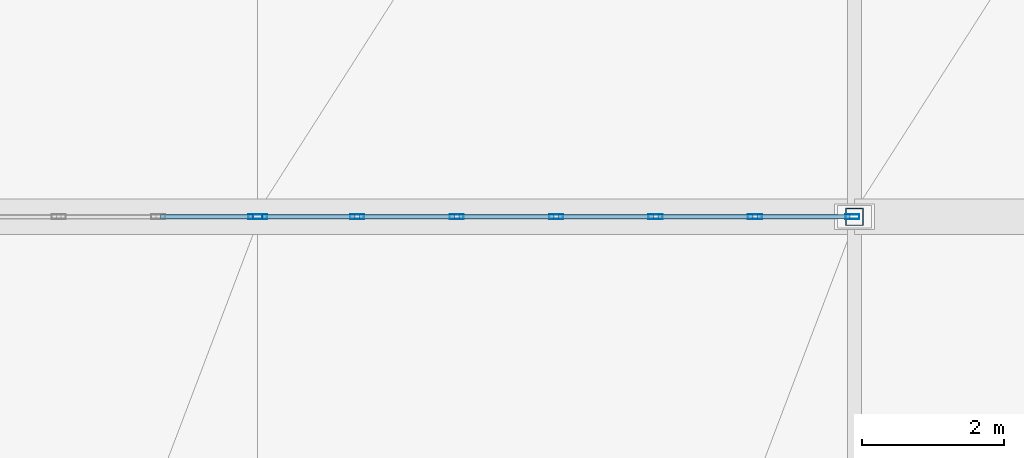
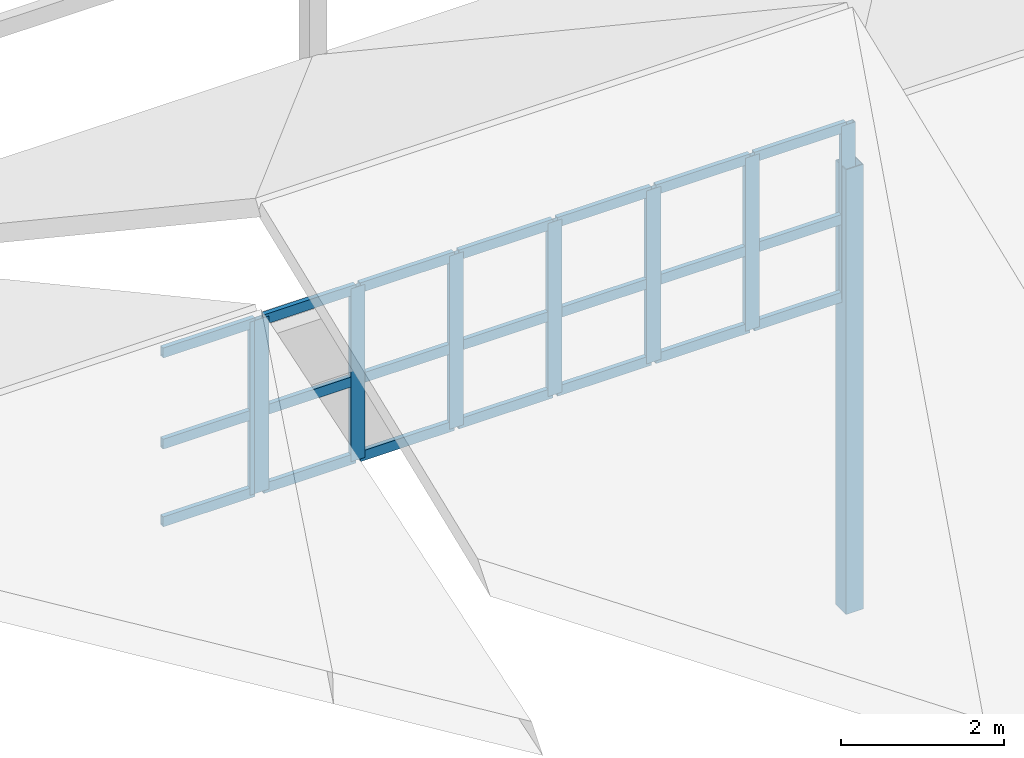
# One storey, part 7 of 76: 30 members, 2 elements without a shape of their own.
"""IFC4 building model written with IfcOpenShell, lengths in metres."""

from ifc_helpers import new_model, si_unit, direction, frame, origin, origin_2d, place, context, subcontext, project, spatial, hollow_rectangle, extrude, material, layer, layer_set, material_profile, profile_set, type_object, element, aggregate, save


model = new_model("IFC4")

# Units and contexts
model_context = context("Model", 3, precision=1e-05, world=origin(), true_north=direction((0.0, 1.0)))
body_context = subcontext(model_context, "Body", "Model", "MODEL_VIEW")
ifc_project = project(units=[si_unit("LENGTHUNIT", "METRE"), si_unit("AREAUNIT", "SQUARE_METRE"), si_unit("VOLUMEUNIT", "CUBIC_METRE"), si_unit("PLANEANGLEUNIT", "RADIAN"), si_unit("MASSUNIT", "GRAM", prefix="KILO")], contexts=[model_context])

# Site, building, storey
site_placement = place(None, origin())
site = spatial("IfcSite", under=ifc_project, at=site_placement, CompositionType="ELEMENT")
building_placement = place(site_placement, origin())
building = spatial("IfcBuilding", under=site, at=building_placement, Name="Krzemoval Escarpment Law Courts", CompositionType="ELEMENT")
storey_placement = place(building_placement, frame((0.0, 0.0, 20.39990234375)))
storey = spatial("IfcBuildingStorey", under=building, at=storey_placement, Name="L04", CompositionType="ELEMENT", Elevation=20.39990234375)

# Curtain wall, member
ifc_material_1 = material(Name="Aluminium 6063-T6", Category="aluminium")
ifc_layer = layer(ifc_material_1, 0.199951171875)
ifc_layer_set = layer_set([ifc_layer], Name="Aluminium 6063-T6")
curtain_wall_type = type_object("IfcCurtainWallType", Name="CW-CLER-2800", PredefinedType="USERDEFINED", material=ifc_layer_set)
curtain_wall_1_placement = place(storey_placement, origin())
curtain_wall_1 = element("IfcCurtainWall", 1, at=curtain_wall_1_placement, inside=storey, type_object=curtain_wall_type, Name="Clerestory Curtain Wall CW-CLER-V1-01", ObjectType="UNITISED_CURTAIN_WALL", PredefinedType="USERDEFINED")
ifc_material_2 = material(Name="Aluminium 6063-T6", Category="aluminium")
ifc_material_profile_1 = material_profile(ifc_material_2, hollow_rectangle(XDim=0.06494140625, YDim=0.199951171875, WallThickness=0.00439453125, at=origin_2d()), Name="ALU M65x200")
ifc_profile_set_1 = profile_set([ifc_material_profile_1], Name="Aluminium 6063-T6")
member_type_1 = type_object("IfcMemberType", Name="CWM-65x200", PredefinedType="MULLION", material=ifc_profile_set_1)
member_1_placement = place(storey_placement, frame((16.767578125, 22.199951171875, 4.400146484375), z_axis=(0.0, 0.0, 1.0), x_axis=(0.0, 1.0, 0.0)))
member_1 = element("IfcMember", 2, at=member_1_placement, type_object=member_type_1, Name="CW-CLER-V1-01 mullion 7", PredefinedType="MULLION", context=body_context, shape_type="SweptSolid", body=[
    extrude(hollow_rectangle(XDim=0.06494140625, YDim=0.199951171875, WallThickness=0.00439453125, at=origin_2d()), origin(), (0.0, 0.0, 1.0), 2.599853515625),
])

# Curtain wall, members
curtain_wall_2_placement = place(storey_placement, origin())
curtain_wall_2 = element("IfcCurtainWall", 3, at=curtain_wall_2_placement, inside=storey, type_object=curtain_wall_type, Name="Clerestory Curtain Wall CW-CLER-V1-02", ObjectType="UNITISED_CURTAIN_WALL", PredefinedType="USERDEFINED")
member_2_placement = place(storey_placement, frame((16.83251953125, 22.199951171875, 4.400146484375), z_axis=(0.0, 0.0, 1.0), x_axis=(0.0, 1.0, 0.0)))
member_2 = element("IfcMember", 4, at=member_2_placement, type_object=member_type_1, Name="CW-CLER-V1-02 mullion 1", PredefinedType="MULLION", context=body_context, shape_type="SweptSolid", body=[
    extrude(hollow_rectangle(XDim=0.06494140625, YDim=0.199951171875, WallThickness=0.00439453125, at=origin_2d()), origin(), (0.0, 0.0, 1.0), 2.599853515625),
])
member_3_placement = place(storey_placement, frame((18.199951171875, 22.199951171875, 4.400146484375), z_axis=(0.0, 0.0, 1.0), x_axis=(0.0, 1.0, 0.0)))
member_3 = element("IfcMember", 5, at=member_3_placement, type_object=member_type_1, Name="CW-CLER-V1-02 mullion 2", PredefinedType="MULLION", context=body_context, shape_type="SweptSolid", body=[
    extrude(hollow_rectangle(XDim=0.06494140625, YDim=0.199951171875, WallThickness=0.00439453125, at=origin_2d()), origin(), (0.0, 0.0, 1.0), 2.599853515625),
])
member_4_placement = place(storey_placement, frame((19.60009765625, 22.199951171875, 4.400146484375), z_axis=(0.0, 0.0, 1.0), x_axis=(0.0, 1.0, 0.0)))
member_4 = element("IfcMember", 6, at=member_4_placement, type_object=member_type_1, Name="CW-CLER-V1-02 mullion 3", PredefinedType="MULLION", context=body_context, shape_type="SweptSolid", body=[
    extrude(hollow_rectangle(XDim=0.06494140625, YDim=0.199951171875, WallThickness=0.00439453125, at=origin_2d()), origin(), (0.0, 0.0, 1.0), 2.599853515625),
])
member_5_placement = place(storey_placement, frame((21.0, 22.199951171875, 4.400146484375), z_axis=(0.0, 0.0, 1.0), x_axis=(0.0, 1.0, 0.0)))
member_5 = element("IfcMember", 7, at=member_5_placement, type_object=member_type_1, Name="CW-CLER-V1-02 mullion 4", PredefinedType="MULLION", context=body_context, shape_type="SweptSolid", body=[
    extrude(hollow_rectangle(XDim=0.06494140625, YDim=0.199951171875, WallThickness=0.00439453125, at=origin_2d()), origin(), (0.0, 0.0, 1.0), 2.599853515625),
])
member_6_placement = place(storey_placement, frame((22.39990234375, 22.199951171875, 4.400146484375), z_axis=(0.0, 0.0, 1.0), x_axis=(0.0, 1.0, 0.0)))
member_6 = element("IfcMember", 8, at=member_6_placement, type_object=member_type_1, Name="CW-CLER-V1-02 mullion 5", PredefinedType="MULLION", context=body_context, shape_type="SweptSolid", body=[
    extrude(hollow_rectangle(XDim=0.06494140625, YDim=0.199951171875, WallThickness=0.00439453125, at=origin_2d()), origin(), (0.0, 0.0, 1.0), 2.599853515625),
])
member_7_placement = place(storey_placement, frame((23.800048828125, 22.199951171875, 4.400146484375), z_axis=(0.0, 0.0, 1.0), x_axis=(0.0, 1.0, 0.0)))
member_7 = element("IfcMember", 9, at=member_7_placement, type_object=member_type_1, Name="CW-CLER-V1-02 mullion 6", PredefinedType="MULLION", context=body_context, shape_type="SweptSolid", body=[
    extrude(hollow_rectangle(XDim=0.06494140625, YDim=0.199951171875, WallThickness=0.00439453125, at=origin_2d()), origin(), (0.0, 0.0, 1.0), 2.599853515625),
])
member_8_placement = place(storey_placement, frame((25.16748046875, 22.199951171875, 4.400146484375), z_axis=(0.0, 0.0, 1.0), x_axis=(0.0, 1.0, 0.0)))
member_8 = element("IfcMember", 10, at=member_8_placement, type_object=member_type_1, Name="CW-CLER-V1-02 mullion 7", PredefinedType="MULLION", context=body_context, shape_type="SweptSolid", body=[
    extrude(hollow_rectangle(XDim=0.06494140625, YDim=0.199951171875, WallThickness=0.00439453125, at=origin_2d()), origin(), (0.0, 0.0, 1.0), 2.599853515625),
])

# Member
ifc_material_3 = material(Name="Aluminium 6063-T6", Category="aluminium")
ifc_material_profile_2 = material_profile(ifc_material_3, hollow_rectangle(XDim=0.06494140625, YDim=0.14990234375, WallThickness=0.00439453125, at=origin_2d()), Name="ALU T65x150")
ifc_profile_set_2 = profile_set([ifc_material_profile_2], Name="Aluminium 6063-T6")
member_type_2 = type_object("IfcMemberType", Name="CWT-65x150", PredefinedType="USERDEFINED", material=ifc_profile_set_2)
member_9_placement = place(storey_placement, frame((15.4326171875, 22.199951171875, 4.4326171875), z_axis=(1.0, 0.0, 0.0), x_axis=(0.0, 1.0, 0.0)))
member_9 = element("IfcMember", 11, at=member_9_placement, type_object=member_type_2, Name="CW-CLER-V1-01 transom 6.1", ObjectType="TRANSOM", PredefinedType="USERDEFINED", context=body_context, shape_type="SweptSolid", body=[
    extrude(hollow_rectangle(XDim=0.06494140625, YDim=0.14990234375, WallThickness=0.00439453125, at=origin_2d()), origin(), (0.0, 0.0, 1.0), 1.302490234375),
])

member_10_placement = place(storey_placement, frame((15.4326171875, 22.199951171875, 5.60009765625), z_axis=(1.0, 0.0, 0.0), x_axis=(0.0, 1.0, 0.0)))
member_10 = element("IfcMember", 12, at=member_10_placement, type_object=member_type_2, Name="CW-CLER-V1-01 transom 6.2", ObjectType="TRANSOM", PredefinedType="USERDEFINED", context=body_context, shape_type="SweptSolid", body=[
    extrude(hollow_rectangle(XDim=0.06494140625, YDim=0.14990234375, WallThickness=0.00439453125, at=origin_2d()), origin(), (0.0, 0.0, 1.0), 1.302490234375),
])

member_11_placement = place(storey_placement, frame((15.4326171875, 22.199951171875, 6.967529296875), z_axis=(1.0, 0.0, 0.0), x_axis=(0.0, 1.0, 0.0)))
member_11 = element("IfcMember", 13, at=member_11_placement, type_object=member_type_2, Name="CW-CLER-V1-01 transom 6.3", ObjectType="TRANSOM", PredefinedType="USERDEFINED", context=body_context, shape_type="SweptSolid", body=[
    extrude(hollow_rectangle(XDim=0.06494140625, YDim=0.14990234375, WallThickness=0.00439453125, at=origin_2d()), origin(), (0.0, 0.0, 1.0), 1.302490234375),
])

aggregate(curtain_wall_1, [member_1, member_9, member_10, member_11])

member_12_placement = place(storey_placement, frame((16.864990234375, 22.199951171875, 4.4326171875), z_axis=(1.0, 0.0, 0.0), x_axis=(0.0, 1.0, 0.0)))
member_12 = element("IfcMember", 14, at=member_12_placement, type_object=member_type_2, Name="CW-CLER-V1-02 transom 1.1", ObjectType="TRANSOM", PredefinedType="USERDEFINED", context=body_context, shape_type="SweptSolid", body=[
    extrude(hollow_rectangle(XDim=0.06494140625, YDim=0.14990234375, WallThickness=0.00439453125, at=origin_2d()), origin(), (0.0, 0.0, 1.0), 1.302490234375),
])

member_13_placement = place(storey_placement, frame((16.864990234375, 22.199951171875, 5.60009765625), z_axis=(1.0, 0.0, 0.0), x_axis=(0.0, 1.0, 0.0)))
member_13 = element("IfcMember", 15, at=member_13_placement, type_object=member_type_2, Name="CW-CLER-V1-02 transom 1.2", ObjectType="TRANSOM", PredefinedType="USERDEFINED", context=body_context, shape_type="SweptSolid", body=[
    extrude(hollow_rectangle(XDim=0.06494140625, YDim=0.14990234375, WallThickness=0.00439453125, at=origin_2d()), origin(), (0.0, 0.0, 1.0), 1.302490234375),
])

member_14_placement = place(storey_placement, frame((16.864990234375, 22.199951171875, 6.967529296875), z_axis=(1.0, 0.0, 0.0), x_axis=(0.0, 1.0, 0.0)))
member_14 = element("IfcMember", 16, at=member_14_placement, type_object=member_type_2, Name="CW-CLER-V1-02 transom 1.3", ObjectType="TRANSOM", PredefinedType="USERDEFINED", context=body_context, shape_type="SweptSolid", body=[
    extrude(hollow_rectangle(XDim=0.06494140625, YDim=0.14990234375, WallThickness=0.00439453125, at=origin_2d()), origin(), (0.0, 0.0, 1.0), 1.302490234375),
])

member_15_placement = place(storey_placement, frame((18.232421875, 22.199951171875, 4.4326171875), z_axis=(1.0, 0.0, 0.0), x_axis=(0.0, 1.0, 0.0)))
member_15 = element("IfcMember", 17, at=member_15_placement, type_object=member_type_2, Name="CW-CLER-V1-02 transom 2.1", ObjectType="TRANSOM", PredefinedType="USERDEFINED", context=body_context, shape_type="SweptSolid", body=[
    extrude(hollow_rectangle(XDim=0.06494140625, YDim=0.14990234375, WallThickness=0.00439453125, at=origin_2d()), origin(), (0.0, 0.0, 1.0), 1.3349609375),
])

member_16_placement = place(storey_placement, frame((18.232421875, 22.199951171875, 5.60009765625), z_axis=(1.0, 0.0, 0.0), x_axis=(0.0, 1.0, 0.0)))
member_16 = element("IfcMember", 18, at=member_16_placement, type_object=member_type_2, Name="CW-CLER-V1-02 transom 2.2", ObjectType="TRANSOM", PredefinedType="USERDEFINED", context=body_context, shape_type="SweptSolid", body=[
    extrude(hollow_rectangle(XDim=0.06494140625, YDim=0.14990234375, WallThickness=0.00439453125, at=origin_2d()), origin(), (0.0, 0.0, 1.0), 1.3349609375),
])

member_17_placement = place(storey_placement, frame((18.232421875, 22.199951171875, 6.967529296875), z_axis=(1.0, 0.0, 0.0), x_axis=(0.0, 1.0, 0.0)))
member_17 = element("IfcMember", 19, at=member_17_placement, type_object=member_type_2, Name="CW-CLER-V1-02 transom 2.3", ObjectType="TRANSOM", PredefinedType="USERDEFINED", context=body_context, shape_type="SweptSolid", body=[
    extrude(hollow_rectangle(XDim=0.06494140625, YDim=0.14990234375, WallThickness=0.00439453125, at=origin_2d()), origin(), (0.0, 0.0, 1.0), 1.3349609375),
])

member_18_placement = place(storey_placement, frame((19.632568359375, 22.199951171875, 4.4326171875), z_axis=(1.0, 0.0, 0.0), x_axis=(0.0, 1.0, 0.0)))
member_18 = element("IfcMember", 20, at=member_18_placement, type_object=member_type_2, Name="CW-CLER-V1-02 transom 3.1", ObjectType="TRANSOM", PredefinedType="USERDEFINED", context=body_context, shape_type="SweptSolid", body=[
    extrude(hollow_rectangle(XDim=0.06494140625, YDim=0.14990234375, WallThickness=0.00439453125, at=origin_2d()), origin(), (0.0, 0.0, 1.0), 1.3349609375),
])

member_19_placement = place(storey_placement, frame((19.632568359375, 22.199951171875, 5.60009765625), z_axis=(1.0, 0.0, 0.0), x_axis=(0.0, 1.0, 0.0)))
member_19 = element("IfcMember", 21, at=member_19_placement, type_object=member_type_2, Name="CW-CLER-V1-02 transom 3.2", ObjectType="TRANSOM", PredefinedType="USERDEFINED", context=body_context, shape_type="SweptSolid", body=[
    extrude(hollow_rectangle(XDim=0.06494140625, YDim=0.14990234375, WallThickness=0.00439453125, at=origin_2d()), origin(), (0.0, 0.0, 1.0), 1.3349609375),
])

member_20_placement = place(storey_placement, frame((19.632568359375, 22.199951171875, 6.967529296875), z_axis=(1.0, 0.0, 0.0), x_axis=(0.0, 1.0, 0.0)))
member_20 = element("IfcMember", 22, at=member_20_placement, type_object=member_type_2, Name="CW-CLER-V1-02 transom 3.3", ObjectType="TRANSOM", PredefinedType="USERDEFINED", context=body_context, shape_type="SweptSolid", body=[
    extrude(hollow_rectangle(XDim=0.06494140625, YDim=0.14990234375, WallThickness=0.00439453125, at=origin_2d()), origin(), (0.0, 0.0, 1.0), 1.3349609375),
])

member_21_placement = place(storey_placement, frame((21.032470703125, 22.199951171875, 4.4326171875), z_axis=(1.0, 0.0, 0.0), x_axis=(0.0, 1.0, 0.0)))
member_21 = element("IfcMember", 23, at=member_21_placement, type_object=member_type_2, Name="CW-CLER-V1-02 transom 4.1", ObjectType="TRANSOM", PredefinedType="USERDEFINED", context=body_context, shape_type="SweptSolid", body=[
    extrude(hollow_rectangle(XDim=0.06494140625, YDim=0.14990234375, WallThickness=0.00439453125, at=origin_2d()), origin(), (0.0, 0.0, 1.0), 1.3349609375),
])

member_22_placement = place(storey_placement, frame((21.032470703125, 22.199951171875, 5.60009765625), z_axis=(1.0, 0.0, 0.0), x_axis=(0.0, 1.0, 0.0)))
member_22 = element("IfcMember", 24, at=member_22_placement, type_object=member_type_2, Name="CW-CLER-V1-02 transom 4.2", ObjectType="TRANSOM", PredefinedType="USERDEFINED", context=body_context, shape_type="SweptSolid", body=[
    extrude(hollow_rectangle(XDim=0.06494140625, YDim=0.14990234375, WallThickness=0.00439453125, at=origin_2d()), origin(), (0.0, 0.0, 1.0), 1.3349609375),
])

member_23_placement = place(storey_placement, frame((21.032470703125, 22.199951171875, 6.967529296875), z_axis=(1.0, 0.0, 0.0), x_axis=(0.0, 1.0, 0.0)))
member_23 = element("IfcMember", 25, at=member_23_placement, type_object=member_type_2, Name="CW-CLER-V1-02 transom 4.3", ObjectType="TRANSOM", PredefinedType="USERDEFINED", context=body_context, shape_type="SweptSolid", body=[
    extrude(hollow_rectangle(XDim=0.06494140625, YDim=0.14990234375, WallThickness=0.00439453125, at=origin_2d()), origin(), (0.0, 0.0, 1.0), 1.3349609375),
])

member_24_placement = place(storey_placement, frame((22.4326171875, 22.199951171875, 4.4326171875), z_axis=(1.0, 0.0, 0.0), x_axis=(0.0, 1.0, 0.0)))
member_24 = element("IfcMember", 26, at=member_24_placement, type_object=member_type_2, Name="CW-CLER-V1-02 transom 5.1", ObjectType="TRANSOM", PredefinedType="USERDEFINED", context=body_context, shape_type="SweptSolid", body=[
    extrude(hollow_rectangle(XDim=0.06494140625, YDim=0.14990234375, WallThickness=0.00439453125, at=origin_2d()), origin(), (0.0, 0.0, 1.0), 1.3349609375),
])

member_25_placement = place(storey_placement, frame((22.4326171875, 22.199951171875, 5.60009765625), z_axis=(1.0, 0.0, 0.0), x_axis=(0.0, 1.0, 0.0)))
member_25 = element("IfcMember", 27, at=member_25_placement, type_object=member_type_2, Name="CW-CLER-V1-02 transom 5.2", ObjectType="TRANSOM", PredefinedType="USERDEFINED", context=body_context, shape_type="SweptSolid", body=[
    extrude(hollow_rectangle(XDim=0.06494140625, YDim=0.14990234375, WallThickness=0.00439453125, at=origin_2d()), origin(), (0.0, 0.0, 1.0), 1.3349609375),
])

member_26_placement = place(storey_placement, frame((22.4326171875, 22.199951171875, 6.967529296875), z_axis=(1.0, 0.0, 0.0), x_axis=(0.0, 1.0, 0.0)))
member_26 = element("IfcMember", 28, at=member_26_placement, type_object=member_type_2, Name="CW-CLER-V1-02 transom 5.3", ObjectType="TRANSOM", PredefinedType="USERDEFINED", context=body_context, shape_type="SweptSolid", body=[
    extrude(hollow_rectangle(XDim=0.06494140625, YDim=0.14990234375, WallThickness=0.00439453125, at=origin_2d()), origin(), (0.0, 0.0, 1.0), 1.3349609375),
])

member_27_placement = place(storey_placement, frame((23.83251953125, 22.199951171875, 4.4326171875), z_axis=(1.0, 0.0, 0.0), x_axis=(0.0, 1.0, 0.0)))
member_27 = element("IfcMember", 29, at=member_27_placement, type_object=member_type_2, Name="CW-CLER-V1-02 transom 6.1", ObjectType="TRANSOM", PredefinedType="USERDEFINED", context=body_context, shape_type="SweptSolid", body=[
    extrude(hollow_rectangle(XDim=0.06494140625, YDim=0.14990234375, WallThickness=0.00439453125, at=origin_2d()), origin(), (0.0, 0.0, 1.0), 1.302490234375),
])

member_28_placement = place(storey_placement, frame((23.83251953125, 22.199951171875, 5.60009765625), z_axis=(1.0, 0.0, 0.0), x_axis=(0.0, 1.0, 0.0)))
member_28 = element("IfcMember", 30, at=member_28_placement, type_object=member_type_2, Name="CW-CLER-V1-02 transom 6.2", ObjectType="TRANSOM", PredefinedType="USERDEFINED", context=body_context, shape_type="SweptSolid", body=[
    extrude(hollow_rectangle(XDim=0.06494140625, YDim=0.14990234375, WallThickness=0.00439453125, at=origin_2d()), origin(), (0.0, 0.0, 1.0), 1.302490234375),
])

member_29_placement = place(storey_placement, frame((23.83251953125, 22.199951171875, 6.967529296875), z_axis=(1.0, 0.0, 0.0), x_axis=(0.0, 1.0, 0.0)))
member_29 = element("IfcMember", 31, at=member_29_placement, type_object=member_type_2, Name="CW-CLER-V1-02 transom 6.3", ObjectType="TRANSOM", PredefinedType="USERDEFINED", context=body_context, shape_type="SweptSolid", body=[
    extrude(hollow_rectangle(XDim=0.06494140625, YDim=0.14990234375, WallThickness=0.00439453125, at=origin_2d()), origin(), (0.0, 0.0, 1.0), 1.302490234375),
])

aggregate(curtain_wall_2, [member_2, member_3, member_4, member_5, member_6, member_7, member_8, member_12, member_13, member_14, member_15, member_16, member_17, member_18, member_19, member_20, member_21, member_22, member_23, member_24, member_25, member_26, member_27, member_28, member_29])

ifc_material_4 = material(Name="Steel S355", Category="steel")
ifc_material_profile_3 = material_profile(ifc_material_4, hollow_rectangle(XDim=0.25, YDim=0.25, WallThickness=0.012451171875, at=origin_2d()), Name="SHS 250x250x12.5")
ifc_profile_set_3 = profile_set([ifc_material_profile_3], Name="Steel S355")
member_type_3 = type_object("IfcMemberType", Name="MBR-STR-SHS250", PredefinedType="STRUT", material=ifc_profile_set_3)
member_30_placement = place(storey_placement, frame((25.199951171875, 22.199951171875, -0.27978515625), z_axis=(0.0, 0.0, 1.0), x_axis=(1.0, 0.0, 0.0)))
element("IfcMember", 32, at=member_30_placement, inside=storey, type_object=member_type_3, Name="Plenary Ridge King Strut V1-RST-252", PredefinedType="STRUT", context=body_context, shape_type="SweptSolid", body=[
    extrude(hollow_rectangle(XDim=0.25, YDim=0.25, WallThickness=0.012451171875, at=origin_2d()), origin(), (0.0, 0.0, 1.0), 6.679931640625),
])

save(model, "model.ifc")
